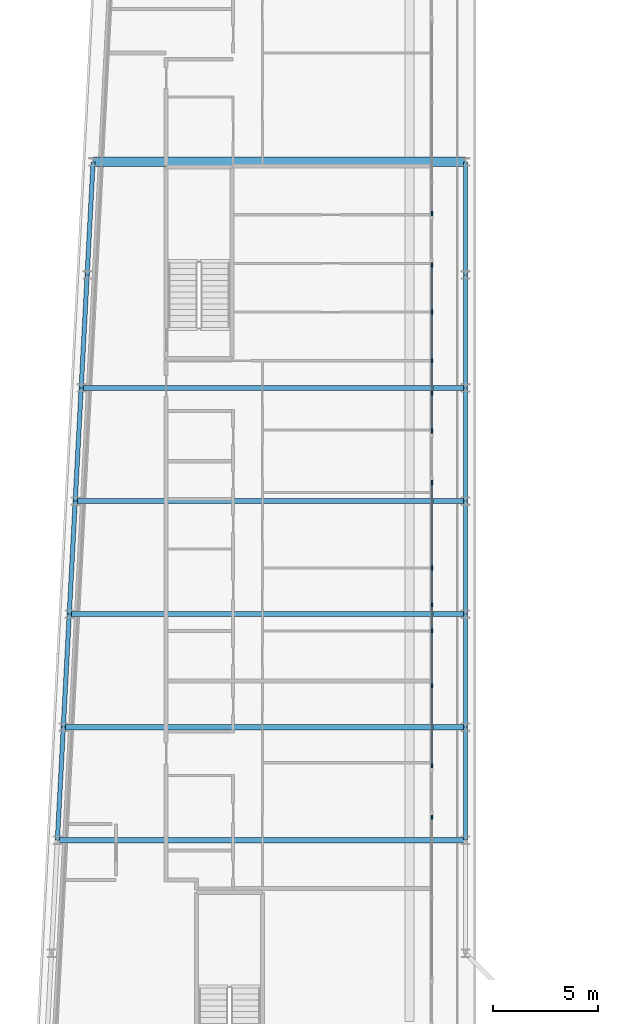
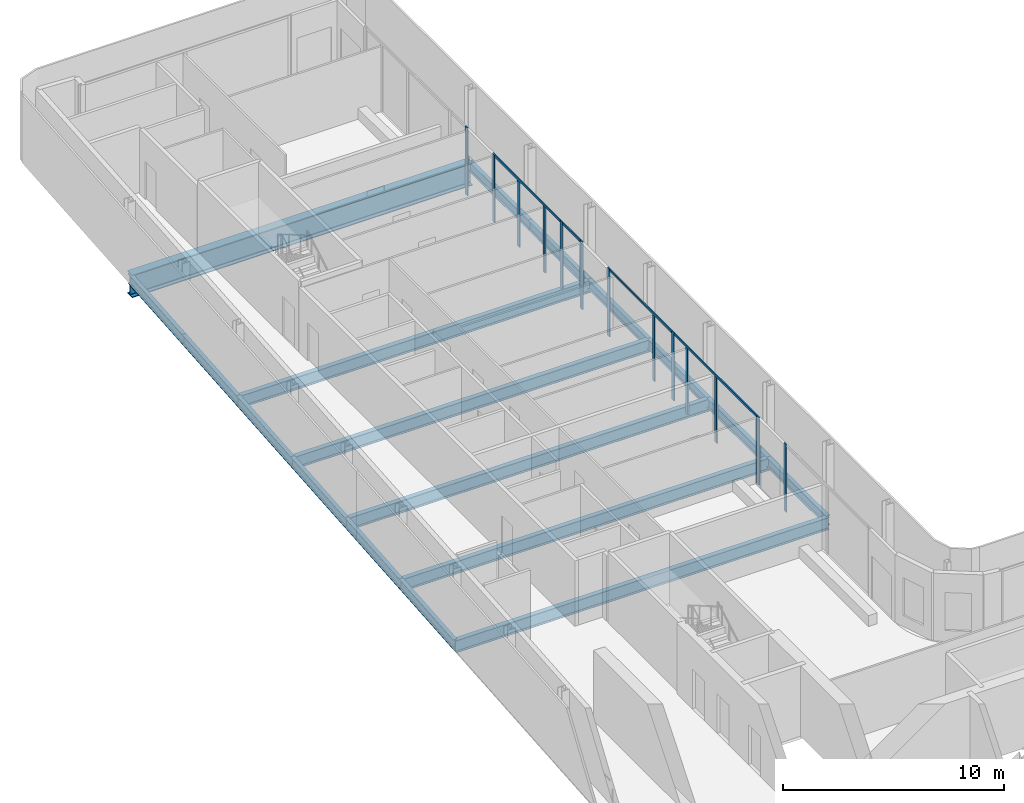
# One storey, part 7 of 21: 18 beams, 17 members, 6 elements without a shape of their own.
"""IFC4 building model written with IfcOpenShell, lengths in metres."""

from ifc_helpers import new_model, si_unit, direction, frame, origin, origin_2d, place, context, subcontext, project, spatial, rectangle, i_section, extrude, material, layer, layer_set, material_profile, profile_set, type_object, element, aggregate, save


model = new_model("IFC4")

# Units and contexts
model_context = context("Model", 3, precision=1e-05, world=origin(), true_north=direction((0.0, 1.0)))
body_context = subcontext(model_context, "Body", "Model", "MODEL_VIEW")
ifc_project = project(units=[si_unit("LENGTHUNIT", "METRE"), si_unit("AREAUNIT", "SQUARE_METRE"), si_unit("VOLUMEUNIT", "CUBIC_METRE"), si_unit("PLANEANGLEUNIT", "RADIAN"), si_unit("MASSUNIT", "GRAM", prefix="KILO")], contexts=[model_context])

# Site, building, storey
site_placement = place(None, origin())
site = spatial("IfcSite", under=ifc_project, at=site_placement, CompositionType="ELEMENT")
building_placement = place(site_placement, origin())
building = spatial("IfcBuilding", under=site, at=building_placement, Name="Kheshtan School and Residences Tower", CompositionType="ELEMENT")
storey_placement = place(building_placement, frame((0.0, 0.0, 294.199951171875)))
storey = spatial("IfcBuildingStorey", under=building, at=storey_placement, Name="L69", CompositionType="ELEMENT", Elevation=294.199951171875)

# Beams
ifc_material_1 = material(Name="Steel ASTM A992 Grade 50", Category="steel")
ifc_material_profile_1 = material_profile(ifc_material_1, i_section(OverallWidth=0.2529296875, OverallDepth=0.677978515625, WebThickness=0.01171875, FlangeThickness=0.016357421875, FilletRadius=0.0146484375, at=origin_2d()), Name="W690x125")
ifc_profile_set_1 = profile_set([ifc_material_profile_1], Name="Steel ASTM A992 Grade 50")
beam_type_1 = type_object("IfcBeamType", Name="Beam FB6 W690x125 ASTM A992 Grade 50", PredefinedType="BEAM", material=ifc_profile_set_1)
beam_1_placement = place(storey_placement, frame((47.60009765625, 78.0, -0.489013671875), z_axis=(-1.0, 0.0, 0.0), x_axis=(0.0, -1.0, 0.0)))
element("IfcBeam", 1, at=beam_1_placement, inside=storey, type_object=beam_type_1, Name="Floor beam C089", PredefinedType="BEAM", context=body_context, shape_type="SweptSolid", body=[
    extrude(i_section(OverallWidth=0.2529296875, OverallDepth=0.677978515625, WebThickness=0.01171875, FlangeThickness=0.016357421875, FilletRadius=0.0146484375, at=origin_2d()), origin(), (0.0, 0.0, 1.0), 18.357177734375),
])
beam_2_placement = place(storey_placement, frame((47.60009765625, 67.199951171875, -0.489013671875), z_axis=(-1.0, 0.0, 0.0), x_axis=(0.0, -1.0, 0.0)))
element("IfcBeam", 2, at=beam_2_placement, inside=storey, type_object=beam_type_1, Name="Floor beam C085", PredefinedType="BEAM", context=body_context, shape_type="SweptSolid", body=[
    extrude(i_section(OverallWidth=0.2529296875, OverallDepth=0.677978515625, WebThickness=0.01171875, FlangeThickness=0.016357421875, FilletRadius=0.0146484375, at=origin_2d()), origin(), (0.0, 0.0, 1.0), 18.926025390625),
])
beam_3_placement = place(storey_placement, frame((47.60009765625, 56.39990234375, -0.489013671875), z_axis=(-1.0, 0.0, 0.0), x_axis=(0.0, -1.0, 0.0)))
element("IfcBeam", 3, at=beam_3_placement, inside=storey, type_object=beam_type_1, Name="Floor beam C081", PredefinedType="BEAM", context=body_context, shape_type="SweptSolid", body=[
    extrude(i_section(OverallWidth=0.2529296875, OverallDepth=0.677978515625, WebThickness=0.01171875, FlangeThickness=0.016357421875, FilletRadius=0.0146484375, at=origin_2d()), origin(), (0.0, 0.0, 1.0), 19.494140625),
])
beam_4_placement = place(storey_placement, frame((28.389892578125, 61.800048828125, -0.489013671875), z_axis=(1.0, 0.0, 0.0), x_axis=(0.0, 1.0, 0.0)))
element("IfcBeam", 4, at=beam_4_placement, inside=storey, type_object=beam_type_1, Name="Floor beam C082", PredefinedType="BEAM", context=body_context, shape_type="SweptSolid", body=[
    extrude(i_section(OverallWidth=0.2529296875, OverallDepth=0.677978515625, WebThickness=0.01171875, FlangeThickness=0.016357421875, FilletRadius=0.0146484375, at=origin_2d()), origin(), (0.0, 0.0, 1.0), 19.210205078125),
])
beam_5_placement = place(storey_placement, frame((28.9580078125, 72.60009765625, -0.489013671875), z_axis=(1.0, 0.0, 0.0), x_axis=(0.0, 1.0, 0.0)))
element("IfcBeam", 5, at=beam_5_placement, inside=storey, type_object=beam_type_1, Name="Floor beam C086", PredefinedType="BEAM", context=body_context, shape_type="SweptSolid", body=[
    extrude(i_section(OverallWidth=0.2529296875, OverallDepth=0.677978515625, WebThickness=0.01171875, FlangeThickness=0.016357421875, FilletRadius=0.0146484375, at=origin_2d()), origin(), (0.0, 0.0, 1.0), 18.64208984375),
])
ifc_material_profile_2 = material_profile(ifc_material_1, i_section(OverallWidth=0.208984375, OverallDepth=0.532958984375, WebThickness=0.01025390625, FlangeThickness=0.015625, FilletRadius=0.013916015625, at=origin_2d()), Name="W530x92")
ifc_profile_set_2 = profile_set([ifc_material_profile_2], Name="Steel ASTM A992 Grade 50")
beam_type_2 = type_object("IfcBeamType", Name="Beam SP3 W530x92 ASTM A992 Grade 50", PredefinedType="BEAM", material=ifc_profile_set_2)
beam_6_placement = place(storey_placement, frame((47.60009765625, 88.800048828125, -0.41650390625), z_axis=(0.0, -1.0, 0.0), x_axis=(1.0, 0.0, 0.0)))
element("IfcBeam", 6, at=beam_6_placement, inside=storey, type_object=beam_type_2, Name="Spandrel beam C099-C091", PredefinedType="BEAM", context=body_context, shape_type="SweptSolid", body=[
    extrude(i_section(OverallWidth=0.208984375, OverallDepth=0.532958984375, WebThickness=0.01025390625, FlangeThickness=0.015625, FilletRadius=0.013916015625, at=origin_2d()), origin(), (0.0, 0.0, 1.0), 5.400146484375),
])
for number, where, z_axis, x_axis, name in (
    (7, (47.60009765625, 83.39990234375, -0.41650390625), (0.0, -1.0, 0.0), (1.0, 0.0, 0.0), "Spandrel beam C091-C089"),
    (8, (47.60009765625, 78.0, -0.41650390625), (0.0, -1.0, 0.0), (1.0, 0.0, 0.0), "Spandrel beam C089-C087"),
):
    element("IfcBeam", number, at=place(storey_placement, frame(where, z_axis=z_axis, x_axis=x_axis)), inside=storey, type_object=beam_type_2, Name=name, PredefinedType="BEAM", context=body_context, shape_type="SweptSolid", body=[
        extrude(i_section(OverallWidth=0.208984375, OverallDepth=0.532958984375, WebThickness=0.01025390625, FlangeThickness=0.015625, FilletRadius=0.013916015625, at=origin_2d()), origin(), (0.0, 0.0, 1.0), 5.39990234375),
    ])
beam_7_placement = place(storey_placement, frame((47.60009765625, 72.60009765625, -0.41650390625), z_axis=(0.0, -1.0, 0.0), x_axis=(1.0, 0.0, 0.0)))
element("IfcBeam", 9, at=beam_7_placement, inside=storey, type_object=beam_type_2, Name="Spandrel beam C087-C085", PredefinedType="BEAM", context=body_context, shape_type="SweptSolid", body=[
    extrude(i_section(OverallWidth=0.208984375, OverallDepth=0.532958984375, WebThickness=0.01025390625, FlangeThickness=0.015625, FilletRadius=0.013916015625, at=origin_2d()), origin(), (0.0, 0.0, 1.0), 5.400146484375),
])
beam_8_placement = place(storey_placement, frame((47.60009765625, 67.199951171875, -0.41650390625), z_axis=(0.0, -1.0, 0.0), x_axis=(1.0, 0.0, 0.0)))
element("IfcBeam", 10, at=beam_8_placement, inside=storey, type_object=beam_type_2, Name="Spandrel beam C085-C083", PredefinedType="BEAM", context=body_context, shape_type="SweptSolid", body=[
    extrude(i_section(OverallWidth=0.208984375, OverallDepth=0.532958984375, WebThickness=0.01025390625, FlangeThickness=0.015625, FilletRadius=0.013916015625, at=origin_2d()), origin(), (0.0, 0.0, 1.0), 5.39990234375),
])
beam_9_placement = place(storey_placement, frame((47.60009765625, 61.800048828125, -0.41650390625), z_axis=(0.0, -1.0, 0.0), x_axis=(1.0, 0.0, 0.0)))
element("IfcBeam", 11, at=beam_9_placement, inside=storey, type_object=beam_type_2, Name="Spandrel beam C083-C081", PredefinedType="BEAM", context=body_context, shape_type="SweptSolid", body=[
    extrude(i_section(OverallWidth=0.208984375, OverallDepth=0.532958984375, WebThickness=0.01025390625, FlangeThickness=0.015625, FilletRadius=0.013916015625, at=origin_2d()), origin(), (0.0, 0.0, 1.0), 5.400146484375),
])
beam_10_placement = place(storey_placement, frame((28.10595703125, 56.39990234375, -0.41650390625), z_axis=(0.05250670125, 0.998620571751, 0.0), x_axis=(-0.998620571751, 0.05250670125, 0.0)))
element("IfcBeam", 12, at=beam_10_placement, inside=storey, type_object=beam_type_2, Name="Spandrel beam C080-C082", PredefinedType="BEAM", context=body_context, shape_type="SweptSolid", body=[
    extrude(i_section(OverallWidth=0.208984375, OverallDepth=0.532958984375, WebThickness=0.01025390625, FlangeThickness=0.015625, FilletRadius=0.013916015625, at=origin_2d()), origin(), (0.0, 0.0, 1.0), 5.40771484375),
])
beam_11_placement = place(storey_placement, frame((28.389892578125, 61.800048828125, -0.41650390625), z_axis=(0.052554093665, 0.998618078766, 0.0), x_axis=(-0.998618078766, 0.052554093665, 0.0)))
element("IfcBeam", 13, at=beam_11_placement, inside=storey, type_object=beam_type_2, Name="Spandrel beam C082-C084", PredefinedType="BEAM", context=body_context, shape_type="SweptSolid", body=[
    extrude(i_section(OverallWidth=0.208984375, OverallDepth=0.532958984375, WebThickness=0.01025390625, FlangeThickness=0.015625, FilletRadius=0.013916015625, at=origin_2d()), origin(), (0.0, 0.0, 1.0), 5.407470703125),
])
beam_12_placement = place(storey_placement, frame((28.674072265625, 67.199951171875, -0.41650390625), z_axis=(0.05250670125, 0.998620571751, 0.0), x_axis=(-0.998620571751, 0.05250670125, 0.0)))
element("IfcBeam", 14, at=beam_12_placement, inside=storey, type_object=beam_type_2, Name="Spandrel beam C084-C086", PredefinedType="BEAM", context=body_context, shape_type="SweptSolid", body=[
    extrude(i_section(OverallWidth=0.208984375, OverallDepth=0.532958984375, WebThickness=0.01025390625, FlangeThickness=0.015625, FilletRadius=0.013916015625, at=origin_2d()), origin(), (0.0, 0.0, 1.0), 5.40771484375),
])
for number, where, z_axis, x_axis, name in (
    (15, (28.9580078125, 72.60009765625, -0.41650390625), (0.052689166816, 0.998610961136, 0.0), (-0.998610961136, 0.052689166816, 0.0), "Spandrel beam C086-C088"),
    (16, (29.242919921875, 78.0, -0.41650390625), (0.052554093665, 0.998618078766, 0.0), (-0.998618078766, 0.052554093665, 0.0), "Spandrel beam C088-C090"),
):
    element("IfcBeam", number, at=place(storey_placement, frame(where, z_axis=z_axis, x_axis=x_axis)), inside=storey, type_object=beam_type_2, Name=name, PredefinedType="BEAM", context=body_context, shape_type="SweptSolid", body=[
        extrude(i_section(OverallWidth=0.208984375, OverallDepth=0.532958984375, WebThickness=0.01025390625, FlangeThickness=0.015625, FilletRadius=0.013916015625, at=origin_2d()), origin(), (0.0, 0.0, 1.0), 5.407470703125),
    ])
beam_13_placement = place(storey_placement, frame((29.527099609375, 83.39990234375, -0.41650390625), z_axis=(0.05250670125, 0.998620571751, 0.0), x_axis=(-0.998620571751, 0.05250670125, 0.0)))
element("IfcBeam", 17, at=beam_13_placement, inside=storey, type_object=beam_type_2, Name="Spandrel beam C090-C098", PredefinedType="BEAM", context=body_context, shape_type="SweptSolid", body=[
    extrude(i_section(OverallWidth=0.208984375, OverallDepth=0.532958984375, WebThickness=0.01025390625, FlangeThickness=0.015625, FilletRadius=0.013916015625, at=origin_2d()), origin(), (0.0, 0.0, 1.0), 5.40771484375),
])

# Curtain wall, member
ifc_material_2 = material(Name="Clear low-e glass in thermally broken aluminium frame", Category="aluminium")
ifc_layer = layer(ifc_material_2, 0.199951171875)
ifc_layer_set = layer_set([ifc_layer], Name="Curtain wall CW-L")
curtain_wall_type = type_object("IfcCurtainWallType", Name="Curtain wall CW-L", PredefinedType="NOTDEFINED", material=ifc_layer_set)
curtain_wall_1_placement = place(storey_placement, origin())
curtain_wall_1 = element("IfcCurtainWall", 18, at=curtain_wall_1_placement, inside=storey, type_object=curtain_wall_type, Name="Curtain wall CWL8a", PredefinedType="NOTDEFINED")
ifc_material_3 = material(Name="Thermally broken aluminium, dark bronze anodised", Category="aluminium")
ifc_material_profile_3 = material_profile(ifc_material_3, rectangle(XDim=0.06005859375, YDim=0.199951171875, at=origin_2d()), Name="CW-L mullion 60x200")
ifc_profile_set_3 = profile_set([ifc_material_profile_3], Name="Thermally broken aluminium, dark bronze anodised")
member_type_1 = type_object("IfcMemberType", Name="CW-L mullion 60x200", PredefinedType="MULLION", material=ifc_profile_set_3)
member_1_placement = place(storey_placement, frame((46.0, 86.3359375, 0.0), z_axis=(0.0, 0.0, 1.0), x_axis=(1.0, 0.0, 0.0)))
member_1 = element("IfcMember", 19, at=member_1_placement, type_object=member_type_1, Name="CWL8a mullion 2", PredefinedType="MULLION", context=body_context, shape_type="SweptSolid", body=[
    extrude(rectangle(XDim=0.06005859375, YDim=0.199951171875, at=origin_2d()), origin(), (0.0, 0.0, 1.0), 3.75),
])
aggregate(curtain_wall_1, [member_1])

# Curtain wall, members
curtain_wall_2_placement = place(storey_placement, origin())
curtain_wall_2 = element("IfcCurtainWall", 20, at=curtain_wall_2_placement, inside=storey, type_object=curtain_wall_type, Name="Curtain wall CWL8b", PredefinedType="NOTDEFINED")
member_2_placement = place(storey_placement, frame((46.0, 83.8759765625, 0.0), z_axis=(0.0, 0.0, 1.0), x_axis=(1.0, 0.0, 0.0)))
member_2 = element("IfcMember", 21, at=member_2_placement, type_object=member_type_1, Name="CWL8b mullion 1", PredefinedType="MULLION", context=body_context, shape_type="SweptSolid", body=[
    extrude(rectangle(XDim=0.06005859375, YDim=0.199951171875, at=origin_2d()), origin(), (0.0, 0.0, 1.0), 3.75),
])
member_3_placement = place(storey_placement, frame((46.0, 81.625, 0.0), z_axis=(0.0, 0.0, 1.0), x_axis=(1.0, 0.0, 0.0)))
member_3 = element("IfcMember", 22, at=member_3_placement, type_object=member_type_1, Name="CWL8b mullion 2", PredefinedType="MULLION", context=body_context, shape_type="SweptSolid", body=[
    extrude(rectangle(XDim=0.06005859375, YDim=0.199951171875, at=origin_2d()), origin(), (0.0, 0.0, 1.0), 3.630126953125),
])
member_4_placement = place(storey_placement, frame((46.0, 79.300048828125, 0.0), z_axis=(0.0, 0.0, 1.0), x_axis=(1.0, 0.0, 0.0)))
member_4 = element("IfcMember", 23, at=member_4_placement, type_object=member_type_1, Name="CWL8b mullion 3", PredefinedType="MULLION", context=body_context, shape_type="SweptSolid", body=[
    extrude(rectangle(XDim=0.06005859375, YDim=0.199951171875, at=origin_2d()), origin(), (0.0, 0.0, 1.0), 3.630126953125),
])
member_5_placement = place(storey_placement, frame((46.0, 77.741943359375, 0.0), z_axis=(0.0, 0.0, 1.0), x_axis=(1.0, 0.0, 0.0)))
member_5 = element("IfcMember", 24, at=member_5_placement, type_object=member_type_1, Name="CWL8b mullion 4", PredefinedType="MULLION", context=body_context, shape_type="SweptSolid", body=[
    extrude(rectangle(XDim=0.06005859375, YDim=0.199951171875, at=origin_2d()), origin(), (0.0, 0.0, 1.0), 3.75),
])

# Curtain wall, member
curtain_wall_3_placement = place(storey_placement, origin())
curtain_wall_3 = element("IfcCurtainWall", 25, at=curtain_wall_3_placement, inside=storey, type_object=curtain_wall_type, Name="Curtain wall CWL8e", PredefinedType="NOTDEFINED")
member_6_placement = place(storey_placement, frame((46.0, 75.94189453125, 0.0), z_axis=(0.0, 0.0, 1.0), x_axis=(1.0, 0.0, 0.0)))
member_6 = element("IfcMember", 26, at=member_6_placement, type_object=member_type_1, Name="CWL8e mullion 2", PredefinedType="MULLION", context=body_context, shape_type="SweptSolid", body=[
    extrude(rectangle(XDim=0.06005859375, YDim=0.199951171875, at=origin_2d()), origin(), (0.0, 0.0, 1.0), 3.75),
])

# Curtain wall, members
curtain_wall_4_placement = place(storey_placement, origin())
curtain_wall_4 = element("IfcCurtainWall", 27, at=curtain_wall_4_placement, inside=storey, type_object=curtain_wall_type, Name="Curtain wall CWL8m", PredefinedType="NOTDEFINED")
member_7_placement = place(storey_placement, frame((46.0, 73.48193359375, 0.0), z_axis=(0.0, 0.0, 1.0), x_axis=(1.0, 0.0, 0.0)))
member_7 = element("IfcMember", 28, at=member_7_placement, type_object=member_type_1, Name="CWL8m mullion 1", PredefinedType="MULLION", context=body_context, shape_type="SweptSolid", body=[
    extrude(rectangle(XDim=0.06005859375, YDim=0.199951171875, at=origin_2d()), origin(), (0.0, 0.0, 1.0), 3.75),
])
member_8_placement = place(storey_placement, frame((46.0, 69.39990234375, 0.0), z_axis=(0.0, 0.0, 1.0), x_axis=(1.0, 0.0, 0.0)))
member_8 = element("IfcMember", 29, at=member_8_placement, type_object=member_type_1, Name="CWL8m mullion 2", PredefinedType="MULLION", context=body_context, shape_type="SweptSolid", body=[
    extrude(rectangle(XDim=0.06005859375, YDim=0.199951171875, at=origin_2d()), origin(), (0.0, 0.0, 1.0), 3.630126953125),
])
member_9_placement = place(storey_placement, frame((46.0, 67.64794921875, 0.0), z_axis=(0.0, 0.0, 1.0), x_axis=(1.0, 0.0, 0.0)))
member_9 = element("IfcMember", 30, at=member_9_placement, type_object=member_type_1, Name="CWL8m mullion 3", PredefinedType="MULLION", context=body_context, shape_type="SweptSolid", body=[
    extrude(rectangle(XDim=0.06005859375, YDim=0.199951171875, at=origin_2d()), origin(), (0.0, 0.0, 1.0), 3.75),
])

curtain_wall_5_placement = place(storey_placement, origin())
curtain_wall_5 = element("IfcCurtainWall", 31, at=curtain_wall_5_placement, inside=storey, type_object=curtain_wall_type, Name="Curtain wall CWL8c", PredefinedType="NOTDEFINED")
member_10_placement = place(storey_placement, frame((46.0, 66.39990234375, 0.0), z_axis=(0.0, 0.0, 1.0), x_axis=(1.0, 0.0, 0.0)))
member_10 = element("IfcMember", 32, at=member_10_placement, type_object=member_type_1, Name="CWL8c mullion 2", PredefinedType="MULLION", context=body_context, shape_type="SweptSolid", body=[
    extrude(rectangle(XDim=0.06005859375, YDim=0.199951171875, at=origin_2d()), origin(), (0.0, 0.0, 1.0), 3.630126953125),
])
member_11_placement = place(storey_placement, frame((46.0, 63.77099609375, 0.0), z_axis=(0.0, 0.0, 1.0), x_axis=(1.0, 0.0, 0.0)))
member_11 = element("IfcMember", 33, at=member_11_placement, type_object=member_type_1, Name="CWL8c mullion 3", PredefinedType="MULLION", context=body_context, shape_type="SweptSolid", body=[
    extrude(rectangle(XDim=0.06005859375, YDim=0.199951171875, at=origin_2d()), origin(), (0.0, 0.0, 1.0), 3.630126953125),
])
member_12_placement = place(storey_placement, frame((46.0, 59.9541015625, 0.0), z_axis=(0.0, 0.0, 1.0), x_axis=(1.0, 0.0, 0.0)))
member_12 = element("IfcMember", 34, at=member_12_placement, type_object=member_type_1, Name="CWL8c mullion 4", PredefinedType="MULLION", context=body_context, shape_type="SweptSolid", body=[
    extrude(rectangle(XDim=0.06005859375, YDim=0.199951171875, at=origin_2d()), origin(), (0.0, 0.0, 1.0), 3.75),
])

# Curtain wall, member
curtain_wall_6_placement = place(storey_placement, origin())
curtain_wall_6 = element("IfcCurtainWall", 35, at=curtain_wall_6_placement, inside=storey, type_object=curtain_wall_type, Name="Curtain wall CWL8", PredefinedType="NOTDEFINED")
member_13_placement = place(storey_placement, frame((46.0, 57.493896484375, 0.0), z_axis=(0.0, 0.0, 1.0), x_axis=(1.0, 0.0, 0.0)))
member_13 = element("IfcMember", 36, at=member_13_placement, type_object=member_type_1, Name="CWL8 mullion 1", PredefinedType="MULLION", context=body_context, shape_type="SweptSolid", body=[
    extrude(rectangle(XDim=0.06005859375, YDim=0.199951171875, at=origin_2d()), origin(), (0.0, 0.0, 1.0), 3.75),
])
aggregate(curtain_wall_6, [member_13])

# Member
ifc_material_profile_4 = material_profile(ifc_material_3, rectangle(XDim=0.06005859375, YDim=0.1201171875, at=origin_2d()), Name="CW-L transom 60x120")
ifc_profile_set_4 = profile_set([ifc_material_profile_4], Name="Thermally broken aluminium, dark bronze anodised")
member_type_2 = type_object("IfcMemberType", Name="CW-L transom 60x120", PredefinedType="USERDEFINED", material=ifc_profile_set_4)
member_14_placement = place(storey_placement, frame((46.0, 83.845947265625, 3.68994140625), z_axis=(0.0, -1.0, 0.0), x_axis=(1.0, 0.0, 0.0)))
member_14 = element("IfcMember", 37, at=member_14_placement, type_object=member_type_2, Name="CWL8b transom 1", ObjectType="TRANSOM", PredefinedType="USERDEFINED", context=body_context, shape_type="SweptSolid", body=[
    extrude(rectangle(XDim=0.06005859375, YDim=0.1201171875, at=origin_2d()), origin(), (0.0, 0.0, 1.0), 6.073974609375),
])

aggregate(curtain_wall_2, [member_2, member_3, member_4, member_5, member_14])

member_15_placement = place(storey_placement, frame((46.0, 77.7119140625, 3.68994140625), z_axis=(0.0, -1.0, 0.0), x_axis=(1.0, 0.0, 0.0)))
member_15 = element("IfcMember", 38, at=member_15_placement, type_object=member_type_2, Name="CWL8e transom 1", ObjectType="TRANSOM", PredefinedType="USERDEFINED", context=body_context, shape_type="SweptSolid", body=[
    extrude(rectangle(XDim=0.06005859375, YDim=0.1201171875, at=origin_2d()), origin(), (0.0, 0.0, 1.0), 1.739990234375),
])

aggregate(curtain_wall_3, [member_6, member_15])

member_16_placement = place(storey_placement, frame((46.0, 73.451904296875, 3.68994140625), z_axis=(0.0, -1.0, 0.0), x_axis=(1.0, 0.0, 0.0)))
member_16 = element("IfcMember", 39, at=member_16_placement, type_object=member_type_2, Name="CWL8m transom 1", ObjectType="TRANSOM", PredefinedType="USERDEFINED", context=body_context, shape_type="SweptSolid", body=[
    extrude(rectangle(XDim=0.06005859375, YDim=0.1201171875, at=origin_2d()), origin(), (0.0, 0.0, 1.0), 5.77392578125),
])

aggregate(curtain_wall_4, [member_7, member_8, member_9, member_16])

member_17_placement = place(storey_placement, frame((46.0, 67.617919921875, 3.68994140625), z_axis=(0.0, -1.0, 0.0), x_axis=(1.0, 0.0, 0.0)))
member_17 = element("IfcMember", 40, at=member_17_placement, type_object=member_type_2, Name="CWL8c transom 1", ObjectType="TRANSOM", PredefinedType="USERDEFINED", context=body_context, shape_type="SweptSolid", body=[
    extrude(rectangle(XDim=0.06005859375, YDim=0.1201171875, at=origin_2d()), origin(), (0.0, 0.0, 1.0), 7.634033203125),
])

aggregate(curtain_wall_5, [member_10, member_11, member_12, member_17])

# Beam
ifc_material_profile_5 = material_profile(ifc_material_1, i_section(OverallWidth=0.449951171875, OverallDepth=1.25, WebThickness=0.02490234375, FlangeThickness=0.044921875, FilletRadius=0.03759765625, at=origin_2d()), Name="WWF1250x546")
ifc_profile_set_5 = profile_set([ifc_material_profile_5], Name="Steel ASTM A992 Grade 50")
beam_type_3 = type_object("IfcBeamType", Name="Transfer girder TG4 WWF1250x546 ASTM A992 Grade 50", PredefinedType="BEAM", material=ifc_profile_set_5)
beam_14_placement = place(storey_placement, frame((29.81103515625, 88.800048828125, -0.77490234375), z_axis=(1.0, 0.0, 0.0), x_axis=(0.0, 1.0, 0.0)))
element("IfcBeam", 41, at=beam_14_placement, inside=storey, type_object=beam_type_3, Name="Transfer girder C098-C099", PredefinedType="BEAM", context=body_context, shape_type="SweptSolid", body=[
    extrude(i_section(OverallWidth=0.449951171875, OverallDepth=1.25, WebThickness=0.02490234375, FlangeThickness=0.044921875, FilletRadius=0.03759765625, at=origin_2d()), origin(), (0.0, 0.0, 1.0), 17.7890625),
])

save(model, "model.ifc")
